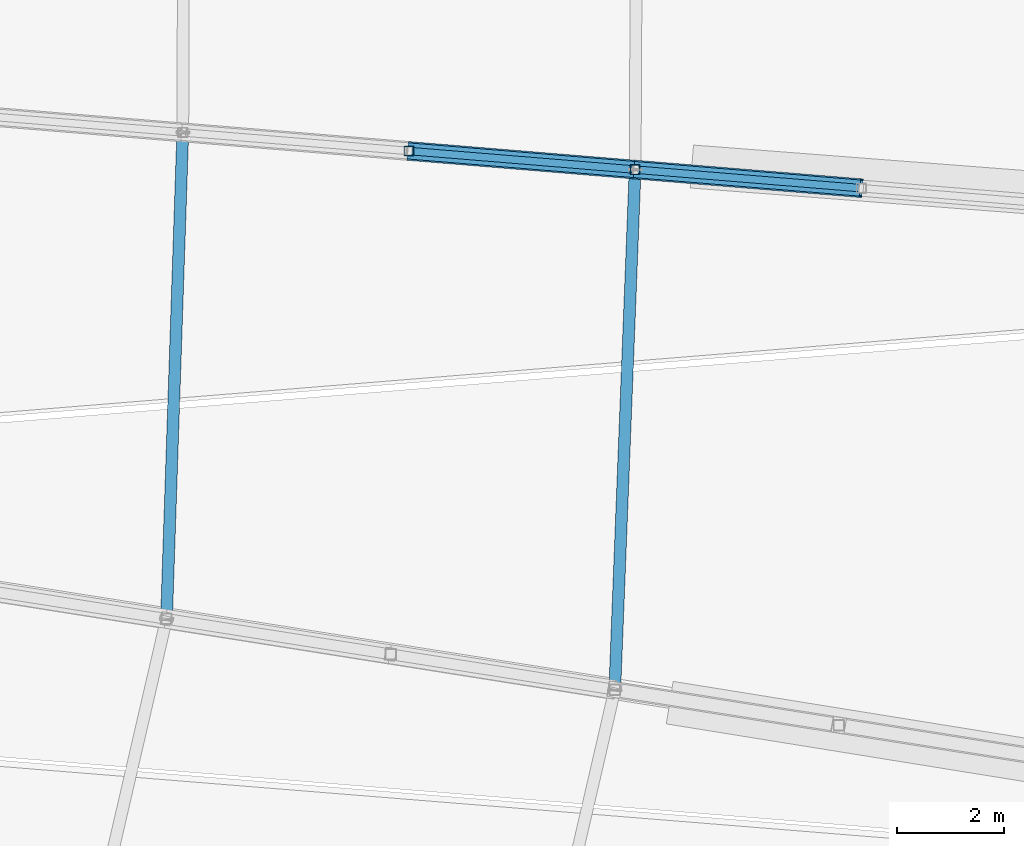
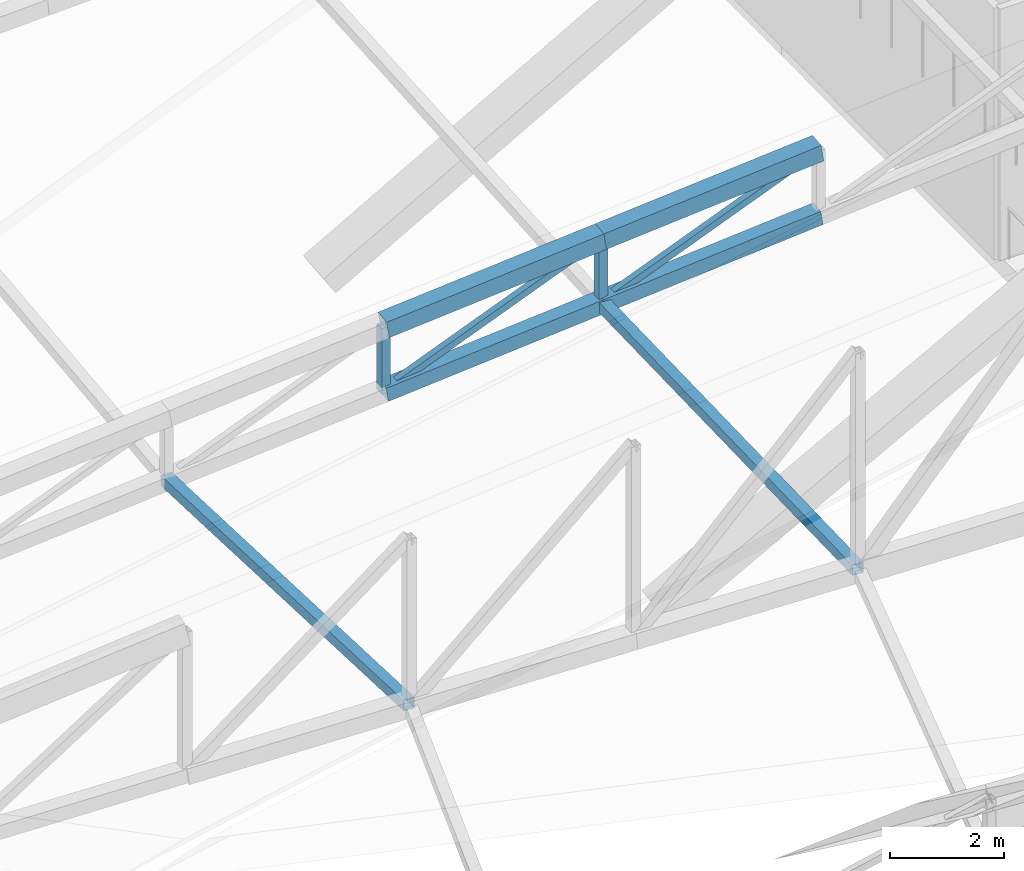
# One storey, part 92 of 344: 10 members.
"""IFC4 building model written with IfcOpenShell, lengths in metres."""

from ifc_helpers import new_model, si_unit, direction, frame, origin, origin_2d, place, context, subcontext, project, spatial, hollow_rectangle, extrude, material, material_profile, profile_set, type_object, element, save


model = new_model("IFC4")

# Units and contexts
model_context = context("Model", 3, precision=1e-05, world=origin(), true_north=direction((0.0, 1.0)))
body_context = subcontext(model_context, "Body", "Model", "MODEL_VIEW")
ifc_project = project(units=[si_unit("LENGTHUNIT", "METRE"), si_unit("AREAUNIT", "SQUARE_METRE"), si_unit("VOLUMEUNIT", "CUBIC_METRE"), si_unit("PLANEANGLEUNIT", "RADIAN"), si_unit("MASSUNIT", "GRAM", prefix="KILO")], contexts=[model_context])

# Site, building, storey
site_placement = place(None, origin())
site = spatial("IfcSite", under=ifc_project, at=site_placement, CompositionType="ELEMENT")
building_placement = place(site_placement, origin())
building = spatial("IfcBuilding", under=site, at=building_placement, Name="Meseta Stadium", CompositionType="ELEMENT")
storey_placement = place(building_placement, frame((0.0, 0.0, 24.0)))
storey = spatial("IfcBuildingStorey", under=building, at=storey_placement, Name="L04", CompositionType="ELEMENT", Elevation=24.0)

# Members
ifc_material_1 = material(Name="Steel S355", Category="steel")
ifc_material_profile_1 = material_profile(ifc_material_1, hollow_rectangle(XDim=0.139892578125, YDim=0.139892578125, WallThickness=0.0048828125, at=origin_2d()), Name="SHS 140x140x5")
ifc_profile_set_1 = profile_set([ifc_material_profile_1], Name="Steel S355")
member_type_1 = type_object("IfcMemberType", Name="SHS 140x140x5 diagonal", PredefinedType="BRACE", material=ifc_profile_set_1)
member_1_placement = place(storey_placement, frame((68.022216796875, -41.564453125, 4.26611328125), z_axis=(0.897440346301, -0.073780051677, 0.434922210063), x_axis=(0.081935226242, 0.996637656674, 0.0)))
element("IfcMember", 1, at=member_1_placement, inside=storey, type_object=member_type_1, Name="ROOF TRUSS RT-01 diagonal", PredefinedType="BRACE", context=body_context, shape_type="SweptSolid", body=[
    extrude(hollow_rectangle(XDim=0.139892578125, YDim=0.139892578125, WallThickness=0.0048828125, at=origin_2d()), origin(), (0.0, 0.0, 1.0), 4.68896484375),
])
member_2_placement = place(storey_placement, frame((72.230224609375, -41.910400390625, 4.899658203125), z_axis=(0.897430213156, -0.073783499393, 0.434942533826), x_axis=(0.081939948326, 0.996637268452, 0.0)))
element("IfcMember", 2, at=member_2_placement, inside=storey, type_object=member_type_1, Name="ROOF TRUSS RT-01 diagonal", PredefinedType="BRACE", context=body_context, shape_type="SweptSolid", body=[
    extrude(hollow_rectangle(XDim=0.139892578125, YDim=0.139892578125, WallThickness=0.0048828125, at=origin_2d()), origin(), (0.0, 0.0, 1.0), 4.688720703125),
])
ifc_material_2 = material(Name="Steel S355", Category="steel")
ifc_material_profile_2 = material_profile(ifc_material_2, hollow_rectangle(XDim=0.179931640625, YDim=0.179931640625, WallThickness=0.00634765625, at=origin_2d()), Name="SHS 180x180x6.3")
ifc_profile_set_2 = profile_set([ifc_material_profile_2], Name="Steel S355")
member_type_2 = type_object("IfcMemberType", Name="SHS 180x180x6.3 post", PredefinedType="POST", material=ifc_profile_set_2)
member_3_placement = place(storey_placement, frame((68.022216796875, -41.564453125, 4.26611328125), z_axis=(0.0, 0.0, 1.0), x_axis=(1.0, 0.0, 0.0)))
element("IfcMember", 3, at=member_3_placement, inside=storey, type_object=member_type_2, Name="ROOF TRUSS RT-01 post", PredefinedType="POST", context=body_context, shape_type="SweptSolid", body=[
    extrude(hollow_rectangle(XDim=0.179931640625, YDim=0.179931640625, WallThickness=0.00634765625, at=origin_2d()), origin(), (0.0, 0.0, 1.0), 1.406005859375),
])
member_4_placement = place(storey_placement, frame((72.230224609375, -41.910400390625, 4.899658203125), z_axis=(0.0, 0.0, 1.0), x_axis=(1.0, 0.0, 0.0)))
element("IfcMember", 4, at=member_4_placement, inside=storey, type_object=member_type_2, Name="ROOF TRUSS RT-01 post", PredefinedType="POST", context=body_context, shape_type="SweptSolid", body=[
    extrude(hollow_rectangle(XDim=0.179931640625, YDim=0.179931640625, WallThickness=0.00634765625, at=origin_2d()), origin(), (0.0, 0.0, 1.0), 1.40576171875),
])
ifc_material_3 = material(Name="Steel S355", Category="steel")
ifc_material_profile_3 = material_profile(ifc_material_3, hollow_rectangle(XDim=0.219970703125, YDim=0.219970703125, WallThickness=0.008056640625, at=origin_2d()), Name="SHS 220x220x8")
ifc_profile_set_3 = profile_set([ifc_material_profile_3], Name="Steel S355")
member_type_3 = type_object("IfcMemberType", Name="SHS 220x220x8 strut", PredefinedType="STRUT", material=ifc_profile_set_3)
member_5_placement = place(storey_placement, frame((63.51123046875, -50.27001953125, 4.403076171875), z_axis=(0.033332644442, 0.995842969644, -0.084768594568), x_axis=(-0.999440289979, 0.033453053184, 0.0)))
element("IfcMember", 5, at=member_5_placement, inside=storey, type_object=member_type_3, Name="ROOF TRUSS STRUT RT-00/01", PredefinedType="STRUT", context=body_context, shape_type="SweptSolid", body=[
    extrude(hollow_rectangle(XDim=0.219970703125, YDim=0.219970703125, WallThickness=0.008056640625, at=origin_2d()), origin(), (0.0, 0.0, 1.0), 9.089599609375),
])
member_6_placement = place(storey_placement, frame((71.85205078125, -51.588134765625, 5.181884765625), z_axis=(0.039030321691, 0.998813396928, -0.029127857892), x_axis=(-0.999237379414, 0.039046889524, 0.0)))
element("IfcMember", 6, at=member_6_placement, inside=storey, type_object=member_type_3, Name="ROOF TRUSS STRUT RT-00/01", PredefinedType="STRUT", context=body_context, shape_type="SweptSolid", body=[
    extrude(hollow_rectangle(XDim=0.219970703125, YDim=0.219970703125, WallThickness=0.008056640625, at=origin_2d()), origin(), (0.0, 0.0, 1.0), 9.689208984375),
])
ifc_material_4 = material(Name="Steel S355", Category="steel")
ifc_material_profile_4 = material_profile(ifc_material_4, hollow_rectangle(XDim=0.300048828125, YDim=0.300048828125, WallThickness=0.010009765625, at=origin_2d()), Name="SHS 300x300x10")
ifc_profile_set_4 = profile_set([ifc_material_profile_4], Name="Steel S355")
member_type_4 = type_object("IfcMemberType", Name="SHS 300x300x10 bottom chord", PredefinedType="CHORD", material=ifc_profile_set_4)
member_7_placement = place(storey_placement, frame((68.022216796875, -41.564453125, 4.26611328125), z_axis=(0.985603870366, -0.081028120464, 0.148389536064), x_axis=(0.081935226242, 0.996637656674, 0.0)))
element("IfcMember", 7, at=member_7_placement, inside=storey, type_object=member_type_4, Name="ROOF TRUSS RT-01 bottom chord", PredefinedType="CHORD", context=body_context, shape_type="SweptSolid", body=[
    extrude(hollow_rectangle(XDim=0.300048828125, YDim=0.300048828125, WallThickness=0.010009765625, at=origin_2d()), origin(), (0.0, 0.0, 1.0), 4.26953125),
])
member_8_placement = place(storey_placement, frame((72.230224609375, -41.910400390625, 4.899658203125), z_axis=(0.985610598262, -0.081033374977, 0.148341972259), x_axis=(0.081939948326, 0.996637268452, 0.0)))
element("IfcMember", 8, at=member_8_placement, inside=storey, type_object=member_type_4, Name="ROOF TRUSS RT-01 bottom chord", PredefinedType="CHORD", context=body_context, shape_type="SweptSolid", body=[
    extrude(hollow_rectangle(XDim=0.300048828125, YDim=0.300048828125, WallThickness=0.010009765625, at=origin_2d()), origin(), (0.0, 0.0, 1.0), 4.269287109375),
])
ifc_material_5 = material(Name="Steel S355", Category="steel")
ifc_material_profile_5 = material_profile(ifc_material_5, hollow_rectangle(XDim=0.35009765625, YDim=0.35009765625, WallThickness=0.010009765625, at=origin_2d()), Name="SHS 350x350x10")
ifc_profile_set_5 = profile_set([ifc_material_profile_5], Name="Steel S355")
member_type_5 = type_object("IfcMemberType", Name="SHS 350x350x10 top chord", PredefinedType="CHORD", material=ifc_profile_set_5)
member_9_placement = place(storey_placement, frame((68.022216796875, -41.564453125, 5.672119140625), z_axis=(0.985612232044, -0.081028807891, 0.148333611622), x_axis=(0.081935226242, 0.996637656674, 0.0)))
element("IfcMember", 9, at=member_9_placement, inside=storey, type_object=member_type_5, Name="ROOF TRUSS RT-01 top chord", PredefinedType="CHORD", context=body_context, shape_type="SweptSolid", body=[
    extrude(hollow_rectangle(XDim=0.35009765625, YDim=0.35009765625, WallThickness=0.010009765625, at=origin_2d()), origin(), (0.0, 0.0, 1.0), 4.26953125),
])
member_10_placement = place(storey_placement, frame((72.230224609375, -41.910400390625, 6.305419921875), z_axis=(0.985602235655, -0.081032687434, 0.148397899711), x_axis=(0.081939948326, 0.996637268452, 0.0)))
element("IfcMember", 10, at=member_10_placement, inside=storey, type_object=member_type_5, Name="ROOF TRUSS RT-01 top chord", PredefinedType="CHORD", context=body_context, shape_type="SweptSolid", body=[
    extrude(hollow_rectangle(XDim=0.35009765625, YDim=0.35009765625, WallThickness=0.010009765625, at=origin_2d()), origin(), (0.0, 0.0, 1.0), 4.269287109375),
])

save(model, "model.ifc")
